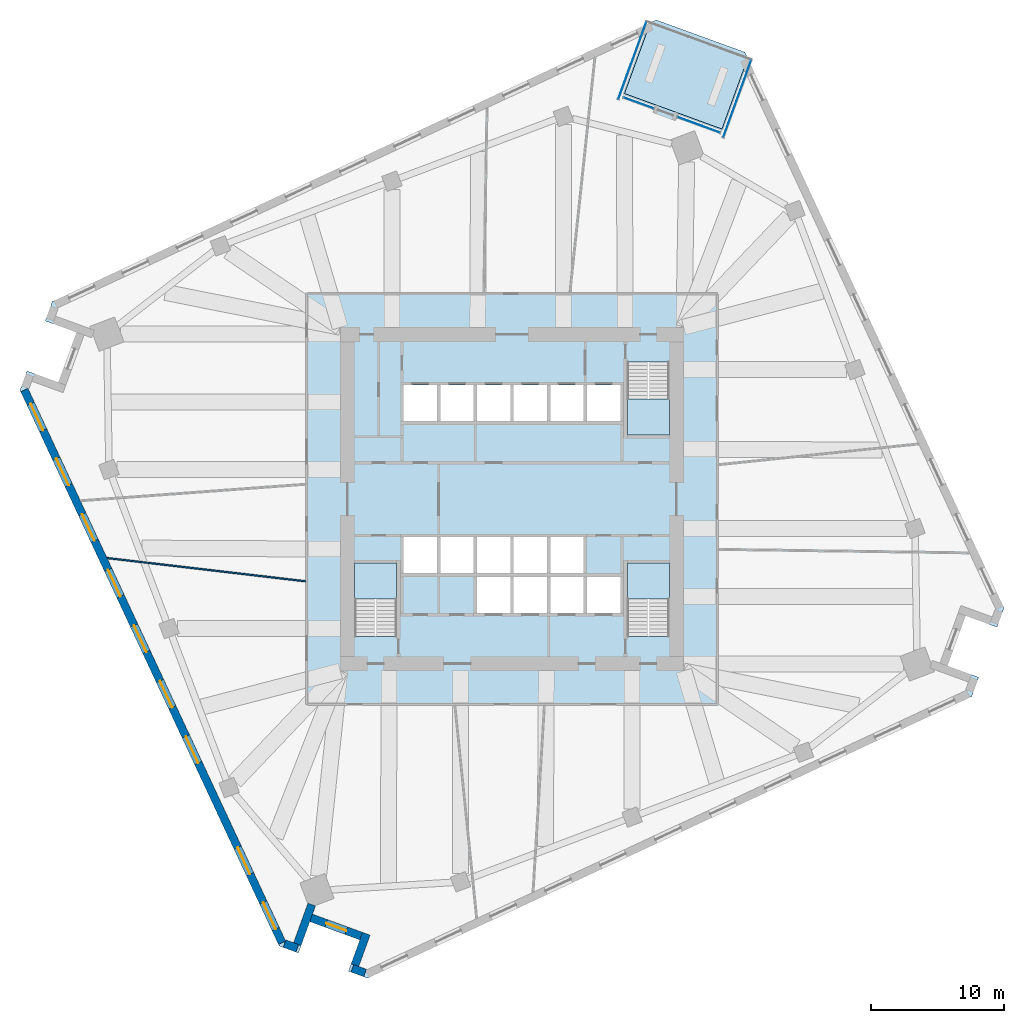
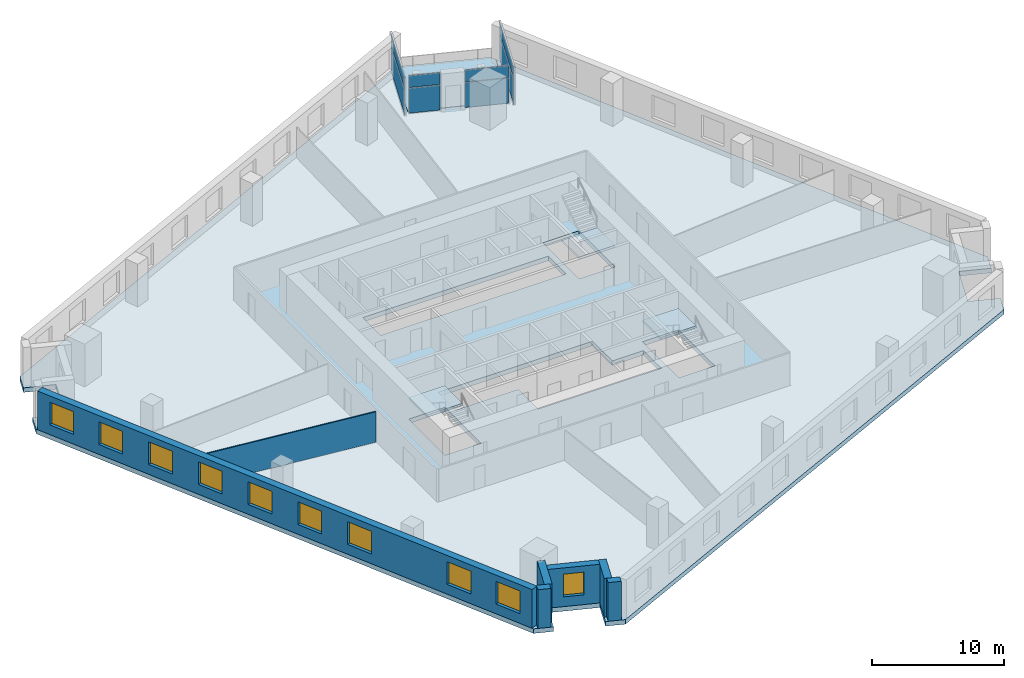
# One storey, part 5 of 12: 10 windows, 8 plates, 7 walls, 5 slabs, 10 openings, 7 elements without a shape of their own.
"""IFC4 building model written with IfcOpenShell, lengths in metres."""

from ifc_helpers import new_model, si_unit, direction, frame, frame_2d, origin, origin_2d, place, context, subcontext, project, spatial, polyline, rectangle, outline, extrude, material, layer, layer_set, type_object, element, fill, aggregate, save


model = new_model("IFC4")

# Units and contexts
model_context = context("Model", 3, precision=1e-05, world=origin(), true_north=direction((0.0, 1.0)))
body_context = subcontext(model_context, "Body", "Model", "MODEL_VIEW")
ifc_project = project(units=[si_unit("LENGTHUNIT", "METRE"), si_unit("AREAUNIT", "SQUARE_METRE"), si_unit("VOLUMEUNIT", "CUBIC_METRE"), si_unit("PLANEANGLEUNIT", "RADIAN"), si_unit("MASSUNIT", "GRAM", prefix="KILO")], contexts=[model_context])

# Site, building, storey
site_placement = place(None, origin())
site = spatial("IfcSite", under=ifc_project, at=site_placement, CompositionType="ELEMENT")
building_placement = place(site_placement, origin())
building = spatial("IfcBuilding", under=site, at=building_placement, Name="Dilmun Exchange Tower", CompositionType="ELEMENT")
storey_placement = place(building_placement, frame((0.0, 0.0, 122.10009765625)))
storey = spatial("IfcBuildingStorey", under=building, at=storey_placement, Name="L28", CompositionType="ELEMENT", Elevation=122.10009765625)

# Stair, slab
ifc_material_1 = material(Name="Concrete C40/50", Category="concrete")
stair_type = type_object("IfcStairType", Name="Exit stair 1500 half-turn", PredefinedType="HALF_TURN_STAIR", material=ifc_material_1)
stair_1_placement = place(storey_placement, origin())
stair_1 = element("IfcStair", 1, at=stair_1_placement, inside=storey, type_object=stair_type, Name="L28 Protected exit stair ST1", PredefinedType="HALF_TURN_STAIR")
ifc_layer_1 = layer(ifc_material_1, 0.199951171875)
ifc_layer_set_1 = layer_set([ifc_layer_1], Name="Concrete C40/50")
slab_type_1 = type_object("IfcSlabType", Name="Exit stair landing 200", PredefinedType="LANDING", material=ifc_layer_set_1)
slab_1_placement = place(storey_placement, frame((0.0, 0.0, 1.7998046875)))
slab_1 = element("IfcSlab", 2, at=slab_1_placement, type_object=slab_type_1, Name="ST1 landing 1", PredefinedType="LANDING", context=body_context, shape_type="SweptSolid", body=[
    extrude(outline(polyline([(8.64990234375, 7.5), (8.64990234375, 4.800048828125), (11.800048828125, 4.800048828125), (11.800048828125, 7.5), (8.64990234375, 7.5)])), origin(), (0.0, 0.0, 1.0), 0.2001953125),
])
aggregate(stair_1, [slab_1])

stair_2_placement = place(storey_placement, origin())
stair_2 = element("IfcStair", 3, at=stair_2_placement, inside=storey, type_object=stair_type, Name="L28 Protected exit stair ST2", PredefinedType="HALF_TURN_STAIR")
slab_2_placement = place(storey_placement, frame((0.0, 0.0, 1.7998046875)))
slab_2 = element("IfcSlab", 4, at=slab_2_placement, type_object=slab_type_1, Name="ST2 landing 1", PredefinedType="LANDING", context=body_context, shape_type="SweptSolid", body=[
    extrude(outline(polyline([(-8.64990234375, -7.5), (-8.64990234375, -4.800048828125), (-11.800048828125, -4.800048828125), (-11.800048828125, -7.5), (-8.64990234375, -7.5)])), origin(), (0.0, 0.0, 1.0), 0.2001953125),
])
aggregate(stair_2, [slab_2])

stair_3_placement = place(storey_placement, origin())
stair_3 = element("IfcStair", 5, at=stair_3_placement, inside=storey, type_object=stair_type, Name="L28 Protected exit stair ST3", PredefinedType="HALF_TURN_STAIR")
slab_3_placement = place(storey_placement, frame((0.0, 0.0, 1.7998046875)))
slab_3 = element("IfcSlab", 6, at=slab_3_placement, type_object=slab_type_1, Name="ST3 landing 1", PredefinedType="LANDING", context=body_context, shape_type="SweptSolid", body=[
    extrude(outline(polyline([(11.800048828125, -7.5), (11.800048828125, -4.800048828125), (8.64990234375, -4.800048828125), (8.64990234375, -7.5), (11.800048828125, -7.5)])), origin(), (0.0, 0.0, 1.0), 0.2001953125),
])
aggregate(stair_3, [slab_3])

# Curtain wall, plates
ifc_material_2 = material(Name="Anodised aluminium and clear glass", Category="aluminium")
curtain_wall_type = type_object("IfcCurtainWallType", Name="Garden corner glazing", PredefinedType="NOTDEFINED", material=ifc_material_2)
curtain_wall_1_placement = place(storey_placement, origin())
curtain_wall_1 = element("IfcCurtainWall", 7, at=curtain_wall_1_placement, inside=storey, type_object=curtain_wall_type, Name="Garden corner glazing run GC1.1", PredefinedType="NOTDEFINED")
ifc_material_3 = material(Name="Clear glass", Category="glass")
ifc_layer_2 = layer(ifc_material_3, 0.028076171875)
ifc_layer_set_2 = layer_set([ifc_layer_2], Name="Clear glass")
plate_type = type_object("IfcPlateType", Name="Garden corner glazing glass panel 28", PredefinedType="CURTAIN_PANEL", material=ifc_layer_set_2)
plate_1_placement = place(storey_placement, frame((16.89404296875, 30.032958984375, 0.059814453125), z_axis=(0.0, 0.0, 1.0), x_axis=(-0.342015551708, -0.939694291986, 0.0)))
plate_1 = element("IfcPlate", 8, at=plate_1_placement, type_object=plate_type, Name="GC1.1 panel 1.1", PredefinedType="CURTAIN_PANEL", context=body_context, shape_type="SweptSolid", body=[
    extrude(rectangle(XDim=6.12646484375, YDim=0.028076171875, at=origin_2d()), origin(), (0.0, 0.0, 1.0), 2.31005859375),
])
plate_2_placement = place(storey_placement, frame((16.89404296875, 30.032958984375, 2.4296875), z_axis=(0.0, 0.0, 1.0), x_axis=(-0.342015551708, -0.939694291986, 0.0)))
plate_2 = element("IfcPlate", 9, at=plate_2_placement, type_object=plate_type, Name="GC1.1 panel 1.2", PredefinedType="CURTAIN_PANEL", context=body_context, shape_type="SweptSolid", body=[
    extrude(rectangle(XDim=6.12646484375, YDim=0.028076171875, at=origin_2d()), origin(), (0.0, 0.0, 1.0), 1.090087890625),
])
aggregate(curtain_wall_1, [plate_1, plate_2])

curtain_wall_2_placement = place(storey_placement, origin())
curtain_wall_2 = element("IfcCurtainWall", 10, at=curtain_wall_2_placement, inside=storey, type_object=curtain_wall_type, Name="Garden corner glazing run GC2.1", PredefinedType="NOTDEFINED")
plate_3_placement = place(storey_placement, frame((14.007080078125, 28.079345703125, 0.059814453125), z_axis=(0.0, 0.0, 1.0), x_axis=(-0.939687942025, 0.342032997842, 0.0)))
plate_3 = element("IfcPlate", 11, at=plate_3_placement, type_object=plate_type, Name="GC2.1 panel 1.1", PredefinedType="CURTAIN_PANEL", context=body_context, shape_type="SweptSolid", body=[
    extrude(rectangle(XDim=3.369140625, YDim=0.028076171875, at=origin_2d()), origin(), (0.0, 0.0, 1.0), 2.31005859375),
])
plate_4_placement = place(storey_placement, frame((14.007080078125, 28.079345703125, 2.4296875), z_axis=(0.0, 0.0, 1.0), x_axis=(-0.939687942025, 0.342032997842, 0.0)))
plate_4 = element("IfcPlate", 12, at=plate_4_placement, type_object=plate_type, Name="GC2.1 panel 1.2", PredefinedType="CURTAIN_PANEL", context=body_context, shape_type="SweptSolid", body=[
    extrude(rectangle(XDim=3.369140625, YDim=0.028076171875, at=origin_2d()), origin(), (0.0, 0.0, 1.0), 1.090087890625),
])
aggregate(curtain_wall_2, [plate_3, plate_4])

curtain_wall_3_placement = place(storey_placement, origin())
curtain_wall_3 = element("IfcCurtainWall", 13, at=curtain_wall_3_placement, inside=storey, type_object=curtain_wall_type, Name="Garden corner glazing run GC2.3", PredefinedType="NOTDEFINED")
plate_5_placement = place(storey_placement, frame((9.5068359375, 29.71728515625, 0.059814453125), z_axis=(0.0, 0.0, 1.0), x_axis=(-0.939696026669, 0.342010785593, 0.0)))
plate_5 = element("IfcPlate", 14, at=plate_5_placement, type_object=plate_type, Name="GC2.3 panel 1.1", PredefinedType="CURTAIN_PANEL", context=body_context, shape_type="SweptSolid", body=[
    extrude(rectangle(XDim=2.369140625, YDim=0.028076171875, at=origin_2d()), origin(), (0.0, 0.0, 1.0), 2.31005859375),
])
plate_6_placement = place(storey_placement, frame((9.5068359375, 29.71728515625, 2.4296875), z_axis=(0.0, 0.0, 1.0), x_axis=(-0.939696026669, 0.342010785593, 0.0)))
plate_6 = element("IfcPlate", 15, at=plate_6_placement, type_object=plate_type, Name="GC2.3 panel 1.2", PredefinedType="CURTAIN_PANEL", context=body_context, shape_type="SweptSolid", body=[
    extrude(rectangle(XDim=2.369140625, YDim=0.028076171875, at=origin_2d()), origin(), (0.0, 0.0, 1.0), 1.090087890625),
])
aggregate(curtain_wall_3, [plate_5, plate_6])

curtain_wall_4_placement = place(storey_placement, origin())
curtain_wall_4 = element("IfcCurtainWall", 16, at=curtain_wall_4_placement, inside=storey, type_object=curtain_wall_type, Name="Garden corner glazing run GC3.1", PredefinedType="NOTDEFINED")
plate_7_placement = place(storey_placement, frame((9.02099609375, 32.8984375, 0.059814453125), z_axis=(0.0, 0.0, 1.0), x_axis=(0.342015551708, 0.939694291986, 0.0)))
plate_7 = element("IfcPlate", 17, at=plate_7_placement, type_object=plate_type, Name="GC3.1 panel 1.1", PredefinedType="CURTAIN_PANEL", context=body_context, shape_type="SweptSolid", body=[
    extrude(rectangle(XDim=6.12646484375, YDim=0.028076171875, at=origin_2d()), origin(), (0.0, 0.0, 1.0), 2.31005859375),
])
plate_8_placement = place(storey_placement, frame((9.02099609375, 32.8984375, 2.4296875), z_axis=(0.0, 0.0, 1.0), x_axis=(0.342015551708, 0.939694291986, 0.0)))
plate_8 = element("IfcPlate", 18, at=plate_8_placement, type_object=plate_type, Name="GC3.1 panel 1.2", PredefinedType="CURTAIN_PANEL", context=body_context, shape_type="SweptSolid", body=[
    extrude(rectangle(XDim=6.12646484375, YDim=0.028076171875, at=origin_2d()), origin(), (0.0, 0.0, 1.0), 1.090087890625),
])
aggregate(curtain_wall_4, [plate_7, plate_8])

# Slabs
ifc_layer_3 = layer(ifc_material_1, 0.419921875)
ifc_layer_set_3 = layer_set([ifc_layer_3], Name="Concrete C40/50")
slab_type_2 = type_object("IfcSlabType", Name="RC floor slab 420", PredefinedType="FLOOR", material=ifc_layer_set_3)
slab_4_placement = place(storey_placement, frame((0.0, 0.0, -0.420166015625)))
element("IfcSlab", 19, at=slab_4_placement, inside=storey, type_object=slab_type_2, Name="Floor slab", PredefinedType="FLOOR", context=body_context, shape_type="SweptSolid", body=[
    extrude(outline(polyline([(36.38427734375, -9.609619140625), (34.034912109375, -8.75439453125), (32.6669921875, -12.51318359375), (35.01611328125, -13.3681640625), (34.490966796875, -14.811279296875), (-10.824462890625, -35.942138671875), (-12.267333984375, -35.4169921875), (-11.412353515625, -33.067626953125), (-15.1708984375, -31.69970703125), (-16.026123046875, -34.048828125), (-17.468994140625, -33.523681640625), (-36.909423828125, 8.16650390625), (-36.38427734375, 9.609619140625), (-34.034912109375, 8.75439453125), (-32.6669921875, 12.51318359375), (-35.01611328125, 13.3681640625), (-34.490966796875, 14.811279296875), (10.37109375, 35.730712890625), (8.43994140625, 30.4248046875), (15.7490234375, 27.764404296875), (17.680419921875, 33.070556640625), (36.909423828125, -8.16650390625), (36.38427734375, -9.609619140625)]), holes=[polyline([(-8.64990234375, -4.800048828125), (-11.800048828125, -4.800048828125), (-11.800048828125, -10.294921875), (-8.64990234375, -10.294921875), (-8.64990234375, -4.800048828125)]), polyline([(11.800048828125, -4.800048828125), (8.64990234375, -4.800048828125), (8.64990234375, -10.294921875), (11.800048828125, -10.294921875), (11.800048828125, -4.800048828125)]), polyline([(-8.125, -2.85009765625), (-8.125, -5.550048828125), (-2.625, -5.550048828125), (-2.625, -8.550048828125), (8.125, -8.550048828125), (8.125, -5.85009765625), (5.375, -5.85009765625), (5.375, -2.85009765625), (-8.125, -2.85009765625)]), polyline([(-8.125, 5.85009765625), (8.125, 5.85009765625), (8.125, 8.550048828125), (-8.125, 8.550048828125), (-8.125, 5.85009765625)]), polyline([(8.64990234375, 10.294921875), (8.64990234375, 4.800048828125), (11.800048828125, 4.800048828125), (11.800048828125, 10.294921875), (8.64990234375, 10.294921875)])]), origin(), (0.0, 0.0, 1.0), 0.420166015625),
])
ifc_layer_4 = layer(ifc_material_1, 0.300048828125)
ifc_layer_set_4 = layer_set([ifc_layer_4], Name="Concrete C40/50")
slab_type_3 = type_object("IfcSlabType", Name="RC garden terrace slab 300", PredefinedType="FLOOR", material=ifc_layer_set_4)
slab_5_placement = place(storey_placement, frame((0.0, 0.0, -0.300048828125)))
element("IfcSlab", 20, at=slab_5_placement, inside=storey, type_object=slab_type_3, Name="Garden terrace slab", PredefinedType="FLOOR", context=body_context, shape_type="SweptSolid", body=[
    extrude(outline(polyline([(8.43994140625, 30.4248046875), (10.37109375, 35.730712890625), (10.824462890625, 35.942138671875), (17.468994140625, 33.523681640625), (17.680419921875, 33.070556640625), (15.7490234375, 27.764404296875), (8.43994140625, 30.4248046875)])), origin(), (0.0, 0.0, 1.0), 0.300048828125),
])

# Wall
ifc_material_4 = material(Name="Partition 100")
ifc_layer_5 = layer(ifc_material_4, 0.10009765625)
ifc_layer_set_5 = layer_set([ifc_layer_5], Name="Partition 100")
wall_type_1 = type_object("IfcWallType", Name="Partition 100", PredefinedType="PARTITIONING", material=ifc_layer_set_5)
wall_1_placement = place(storey_placement, frame((-30.375, -4.42236328125, 0.0), z_axis=(0.0, 0.0, 1.0), x_axis=(0.993213359121, -0.116306591663, 0.0)))
element("IfcWall", 21, at=wall_1_placement, inside=storey, type_object=wall_type_1, Name="Partition", PredefinedType="PARTITIONING", context=body_context, shape_type="SweptSolid", body=[
    extrude(rectangle(XDim=14.99609375, YDim=0.10009765625, at=frame_2d((7.498046875, 0.0))), origin(), (0.0, 0.0, 1.0), 2.829833984375),
])

# Wall, openings, windows
ifc_material_5 = material(Name="Precast concrete C50/60", Category="concrete")
ifc_layer_6 = layer(ifc_material_5, 0.60009765625)
ifc_layer_set_6 = layer_set([ifc_layer_6], Name="Precast concrete C50/60")
wall_type_2 = type_object("IfcWallType", Name="Precast stone-clad wall 600", PredefinedType="STANDARD", material=ifc_layer_set_6)
wall_2_placement = place(storey_placement, frame((-36.5849609375, 8.1806640625, 0.0), z_axis=(0.0, 0.0, 1.0), x_axis=(0.422619608855, -0.906307158866, 0.0)))
wall_2 = element("IfcWall", 22, at=wall_2_placement, inside=storey, type_object=wall_type_2, Name="Facade wall L28-09", PredefinedType="STANDARD", context=body_context, shape_type="SweptSolid", body=[
    extrude(rectangle(XDim=45.75146484375, YDim=0.60009765625, at=frame_2d((22.875732421875, 0.0))), origin(), (0.0, 0.0, 1.0), 3.579833984375),
])
opening_1_placement = place(wall_2_placement, frame((1.137939453125, 0.0, 0.89990234375)))
opening_1 = element("IfcOpeningElement", 23, at=opening_1_placement, cuts=wall_2, Name="Opening W220-210", PredefinedType="OPENING", context=body_context, shape_type="SweptSolid", body=[
    extrude(rectangle(XDim=2.199951171875, YDim=2.10009765625, at=frame_2d((1.10009765625, 1.050048828125))), frame((0.0, 0.31005859375, 0.0), z_axis=(0.0, -1.0, 0.0), x_axis=(1.0, 0.0, 0.0)), (0.0, 0.0, 1.0), 0.6201171875),
])
opening_2_placement = place(wall_2_placement, frame((5.67578125, 0.0, 0.89990234375)))
opening_2 = element("IfcOpeningElement", 24, at=opening_2_placement, cuts=wall_2, Name="Opening W220-210", PredefinedType="OPENING", context=body_context, shape_type="SweptSolid", body=[
    extrude(rectangle(XDim=2.199951171875, YDim=2.10009765625, at=frame_2d((1.10009765625, 1.050048828125))), frame((0.0, 0.31005859375, 0.0), z_axis=(0.0, -1.0, 0.0), x_axis=(1.0, 0.0, 0.0)), (0.0, 0.0, 1.0), 0.6201171875),
])
opening_3_placement = place(wall_2_placement, frame((10.275634765625, 0.0, 0.89990234375)))
opening_3 = element("IfcOpeningElement", 25, at=opening_3_placement, cuts=wall_2, Name="Opening W220-210", PredefinedType="OPENING", context=body_context, shape_type="SweptSolid", body=[
    extrude(rectangle(XDim=2.199951171875, YDim=2.10009765625, at=frame_2d((1.10009765625, 1.050048828125))), frame((0.0, 0.31005859375, 0.0), z_axis=(0.0, -1.0, 0.0), x_axis=(1.0, 0.0, 0.0)), (0.0, 0.0, 1.0), 0.6201171875),
])
opening_4_placement = place(wall_2_placement, frame((14.875732421875, 0.0, 0.89990234375)))
opening_4 = element("IfcOpeningElement", 26, at=opening_4_placement, cuts=wall_2, Name="Opening W220-210", PredefinedType="OPENING", context=body_context, shape_type="SweptSolid", body=[
    extrude(rectangle(XDim=2.199951171875, YDim=2.10009765625, at=frame_2d((1.10009765625, 1.050048828125))), frame((0.0, 0.31005859375, 0.0), z_axis=(0.0, -1.0, 0.0), x_axis=(1.0, 0.0, 0.0)), (0.0, 0.0, 1.0), 0.6201171875),
])
opening_5_placement = place(wall_2_placement, frame((19.4755859375, 0.0, 0.89990234375)))
opening_5 = element("IfcOpeningElement", 27, at=opening_5_placement, cuts=wall_2, Name="Opening W220-210", PredefinedType="OPENING", context=body_context, shape_type="SweptSolid", body=[
    extrude(rectangle(XDim=2.199951171875, YDim=2.10009765625, at=frame_2d((1.10009765625, 1.050048828125))), frame((0.0, 0.31005859375, 0.0), z_axis=(0.0, -1.0, 0.0), x_axis=(1.0, 0.0, 0.0)), (0.0, 0.0, 1.0), 0.6201171875),
])
opening_6_placement = place(wall_2_placement, frame((24.07568359375, 0.0, 0.89990234375)))
opening_6 = element("IfcOpeningElement", 28, at=opening_6_placement, cuts=wall_2, Name="Opening W220-210", PredefinedType="OPENING", context=body_context, shape_type="SweptSolid", body=[
    extrude(rectangle(XDim=2.199951171875, YDim=2.10009765625, at=frame_2d((1.10009765625, 1.050048828125))), frame((0.0, 0.31005859375, 0.0), z_axis=(0.0, -1.0, 0.0), x_axis=(1.0, 0.0, 0.0)), (0.0, 0.0, 1.0), 0.6201171875),
])
opening_7_placement = place(wall_2_placement, frame((28.67578125, 0.0, 0.89990234375)))
opening_7 = element("IfcOpeningElement", 29, at=opening_7_placement, cuts=wall_2, Name="Opening W220-210", PredefinedType="OPENING", context=body_context, shape_type="SweptSolid", body=[
    extrude(rectangle(XDim=2.199951171875, YDim=2.10009765625, at=frame_2d((1.10009765625, 1.050048828125))), frame((0.0, 0.31005859375, 0.0), z_axis=(0.0, -1.0, 0.0), x_axis=(1.0, 0.0, 0.0)), (0.0, 0.0, 1.0), 0.6201171875),
])
opening_8_placement = place(wall_2_placement, frame((37.875732421875, 0.0, 0.89990234375)))
opening_8 = element("IfcOpeningElement", 30, at=opening_8_placement, cuts=wall_2, Name="Opening W220-210", PredefinedType="OPENING", context=body_context, shape_type="SweptSolid", body=[
    extrude(rectangle(XDim=2.199951171875, YDim=2.10009765625, at=frame_2d((1.10009765625, 1.050048828125))), frame((0.0, 0.31005859375, 0.0), z_axis=(0.0, -1.0, 0.0), x_axis=(1.0, 0.0, 0.0)), (0.0, 0.0, 1.0), 0.6201171875),
])
opening_9_placement = place(wall_2_placement, frame((42.41357421875, 0.0, 0.89990234375)))
opening_9 = element("IfcOpeningElement", 31, at=opening_9_placement, cuts=wall_2, Name="Opening W220-210", PredefinedType="OPENING", context=body_context, shape_type="SweptSolid", body=[
    extrude(rectangle(XDim=2.199951171875, YDim=2.10009765625, at=frame_2d((1.10009765625, 1.050048828125))), frame((0.0, 0.31005859375, 0.0), z_axis=(0.0, -1.0, 0.0), x_axis=(1.0, 0.0, 0.0)), (0.0, 0.0, 1.0), 0.6201171875),
])
ifc_material_6 = material(Name="Clear low-emissivity glass in aluminium frame", Category="aluminium")
window_type_1 = type_object("IfcWindowType", Name="Punched window 2200 x 2100", PartitioningType="DOUBLE_PANEL_VERTICAL", PredefinedType="WINDOW", material=ifc_material_6)
window_1_placement = place(opening_1_placement, origin())
window_1 = element("IfcWindow", 32, at=window_1_placement, inside=storey, type_object=window_type_1, Name="Window 10.1", OverallHeight=2.10009765625, OverallWidth=2.199951171875, PartitioningType="SINGLE_PANEL", PredefinedType="WINDOW", context=body_context, shape_type="SweptSolid", body=[
    extrude(rectangle(XDim=2.199951171875, YDim=2.10009765625, at=frame_2d((1.10009765625, 1.050048828125))), frame((0.0, 0.030029296875, 0.0), z_axis=(0.0, -1.0, 0.0), x_axis=(1.0, 0.0, 0.0)), (0.0, 0.0, 1.0), 0.06005859375),
])
fill(opening_1, window_1)
window_2_placement = place(opening_2_placement, origin())
window_2 = element("IfcWindow", 33, at=window_2_placement, inside=storey, type_object=window_type_1, Name="Window 10.2", OverallHeight=2.10009765625, OverallWidth=2.199951171875, PartitioningType="SINGLE_PANEL", PredefinedType="WINDOW", context=body_context, shape_type="SweptSolid", body=[
    extrude(rectangle(XDim=2.199951171875, YDim=2.10009765625, at=frame_2d((1.10009765625, 1.050048828125))), frame((0.0, 0.030029296875, 0.0), z_axis=(0.0, -1.0, 0.0), x_axis=(1.0, 0.0, 0.0)), (0.0, 0.0, 1.0), 0.06005859375),
])
fill(opening_2, window_2)
window_3_placement = place(opening_3_placement, origin())
window_3 = element("IfcWindow", 34, at=window_3_placement, inside=storey, type_object=window_type_1, Name="Window 10.3", OverallHeight=2.10009765625, OverallWidth=2.199951171875, PartitioningType="SINGLE_PANEL", PredefinedType="WINDOW", context=body_context, shape_type="SweptSolid", body=[
    extrude(rectangle(XDim=2.199951171875, YDim=2.10009765625, at=frame_2d((1.10009765625, 1.050048828125))), frame((0.0, 0.030029296875, 0.0), z_axis=(0.0, -1.0, 0.0), x_axis=(1.0, 0.0, 0.0)), (0.0, 0.0, 1.0), 0.06005859375),
])
fill(opening_3, window_3)
window_4_placement = place(opening_4_placement, origin())
window_4 = element("IfcWindow", 35, at=window_4_placement, inside=storey, type_object=window_type_1, Name="Window 10.4", OverallHeight=2.10009765625, OverallWidth=2.199951171875, PartitioningType="SINGLE_PANEL", PredefinedType="WINDOW", context=body_context, shape_type="SweptSolid", body=[
    extrude(rectangle(XDim=2.199951171875, YDim=2.10009765625, at=frame_2d((1.10009765625, 1.050048828125))), frame((0.0, 0.030029296875, 0.0), z_axis=(0.0, -1.0, 0.0), x_axis=(1.0, 0.0, 0.0)), (0.0, 0.0, 1.0), 0.06005859375),
])
fill(opening_4, window_4)
window_5_placement = place(opening_5_placement, origin())
window_5 = element("IfcWindow", 36, at=window_5_placement, inside=storey, type_object=window_type_1, Name="Window 10.5", OverallHeight=2.10009765625, OverallWidth=2.199951171875, PartitioningType="SINGLE_PANEL", PredefinedType="WINDOW", context=body_context, shape_type="SweptSolid", body=[
    extrude(rectangle(XDim=2.199951171875, YDim=2.10009765625, at=frame_2d((1.10009765625, 1.050048828125))), frame((0.0, 0.030029296875, 0.0), z_axis=(0.0, -1.0, 0.0), x_axis=(1.0, 0.0, 0.0)), (0.0, 0.0, 1.0), 0.06005859375),
])
fill(opening_5, window_5)
window_6_placement = place(opening_6_placement, origin())
window_6 = element("IfcWindow", 37, at=window_6_placement, inside=storey, type_object=window_type_1, Name="Window 10.6", OverallHeight=2.10009765625, OverallWidth=2.199951171875, PartitioningType="SINGLE_PANEL", PredefinedType="WINDOW", context=body_context, shape_type="SweptSolid", body=[
    extrude(rectangle(XDim=2.199951171875, YDim=2.10009765625, at=frame_2d((1.10009765625, 1.050048828125))), frame((0.0, 0.030029296875, 0.0), z_axis=(0.0, -1.0, 0.0), x_axis=(1.0, 0.0, 0.0)), (0.0, 0.0, 1.0), 0.06005859375),
])
fill(opening_6, window_6)
window_7_placement = place(opening_7_placement, origin())
window_7 = element("IfcWindow", 38, at=window_7_placement, inside=storey, type_object=window_type_1, Name="Window 10.7", OverallHeight=2.10009765625, OverallWidth=2.199951171875, PartitioningType="SINGLE_PANEL", PredefinedType="WINDOW", context=body_context, shape_type="SweptSolid", body=[
    extrude(rectangle(XDim=2.199951171875, YDim=2.10009765625, at=frame_2d((1.10009765625, 1.050048828125))), frame((0.0, 0.030029296875, 0.0), z_axis=(0.0, -1.0, 0.0), x_axis=(1.0, 0.0, 0.0)), (0.0, 0.0, 1.0), 0.06005859375),
])
fill(opening_7, window_7)
window_8_placement = place(opening_8_placement, origin())
window_8 = element("IfcWindow", 39, at=window_8_placement, inside=storey, type_object=window_type_1, Name="Window 10.9", OverallHeight=2.10009765625, OverallWidth=2.199951171875, PartitioningType="SINGLE_PANEL", PredefinedType="WINDOW", context=body_context, shape_type="SweptSolid", body=[
    extrude(rectangle(XDim=2.199951171875, YDim=2.10009765625, at=frame_2d((1.10009765625, 1.050048828125))), frame((0.0, 0.030029296875, 0.0), z_axis=(0.0, -1.0, 0.0), x_axis=(1.0, 0.0, 0.0)), (0.0, 0.0, 1.0), 0.06005859375),
])
fill(opening_8, window_8)
window_9_placement = place(opening_9_placement, origin())
window_9 = element("IfcWindow", 40, at=window_9_placement, inside=storey, type_object=window_type_1, Name="Window 10.10", OverallHeight=2.10009765625, OverallWidth=2.199951171875, PartitioningType="SINGLE_PANEL", PredefinedType="WINDOW", context=body_context, shape_type="SweptSolid", body=[
    extrude(rectangle(XDim=2.199951171875, YDim=2.10009765625, at=frame_2d((1.10009765625, 1.050048828125))), frame((0.0, 0.030029296875, 0.0), z_axis=(0.0, -1.0, 0.0), x_axis=(1.0, 0.0, 0.0)), (0.0, 0.0, 1.0), 0.06005859375),
])
fill(opening_9, window_9)

# Walls
wall_3_placement = place(storey_placement, frame((-17.061767578125, -33.3525390625, 0.0), z_axis=(0.0, 0.0, 1.0), x_axis=(0.939687665182, -0.342033758429, 0.0)))
element("IfcWall", 41, at=wall_3_placement, inside=storey, type_object=wall_type_2, Name="Facade wall L28-10", PredefinedType="STANDARD", context=body_context, shape_type="SweptSolid", body=[
    extrude(rectangle(XDim=1.011474609375, YDim=0.60009765625, at=frame_2d((0.505859375, 0.0))), origin(), (0.0, 0.0, 1.0), 3.579833984375),
])
wall_4_placement = place(storey_placement, frame((-16.102783203125, -33.38232421875, 0.0), z_axis=(0.0, 0.0, 1.0), x_axis=(0.342003629731, 0.939698631079, 0.0)))
element("IfcWall", 42, at=wall_4_placement, inside=storey, type_object=wall_type_2, Name="Facade wall L28-11", PredefinedType="STANDARD", context=body_context, shape_type="SweptSolid", body=[
    extrude(rectangle(XDim=3.159423828125, YDim=0.60009765625, at=frame_2d((1.57958984375, 0.0))), origin(), (0.0, 0.0, 1.0), 3.579833984375),
])

# Wall, opening, window
wall_5_placement = place(storey_placement, frame((-15.068359375, -31.417724609375, 0.0), z_axis=(0.0, 0.0, 1.0), x_axis=(0.939679314823, -0.342056698946, 0.0)))
wall_5 = element("IfcWall", 43, at=wall_5_placement, inside=storey, type_object=wall_type_2, Name="Facade wall L28-12", PredefinedType="STANDARD", context=body_context, shape_type="SweptSolid", body=[
    extrude(rectangle(XDim=3.999755859375, YDim=0.60009765625, at=frame_2d((2.0, 0.0))), origin(), (0.0, 0.0, 1.0), 3.579833984375),
])
opening_10_placement = place(wall_5_placement, frame((1.199951171875, 0.0, 0.89990234375)))
opening_10 = element("IfcOpeningElement", 44, at=opening_10_placement, cuts=wall_5, Name="Opening W160-210", PredefinedType="OPENING", context=body_context, shape_type="SweptSolid", body=[
    extrude(rectangle(XDim=1.60009765625, YDim=2.10009765625, at=frame_2d((0.800048828125, 1.050048828125))), frame((0.0, 0.31005859375, 0.0), z_axis=(0.0, -1.0, 0.0), x_axis=(1.0, 0.0, 0.0)), (0.0, 0.0, 1.0), 0.6201171875),
])
window_type_2 = type_object("IfcWindowType", Name="Punched window 1600 x 2100", PartitioningType="DOUBLE_PANEL_VERTICAL", PredefinedType="WINDOW", material=ifc_material_6)
window_10_placement = place(opening_10_placement, origin())
window_10 = element("IfcWindow", 45, at=window_10_placement, inside=storey, type_object=window_type_2, Name="Window 13.1", OverallHeight=2.10009765625, OverallWidth=1.60009765625, PartitioningType="SINGLE_PANEL", PredefinedType="WINDOW", context=body_context, shape_type="SweptSolid", body=[
    extrude(rectangle(XDim=1.60009765625, YDim=2.10009765625, at=frame_2d((0.800048828125, 1.050048828125))), frame((0.0, 0.030029296875, 0.0), z_axis=(0.0, -1.0, 0.0), x_axis=(1.0, 0.0, 0.0)), (0.0, 0.0, 1.0), 0.06005859375),
])
fill(opening_10, window_10)

# Walls
wall_6_placement = place(storey_placement, frame((-10.925048828125, -32.6064453125, 0.0), z_axis=(0.0, 0.0, 1.0), x_axis=(-0.342064500802, -0.939676474799, 0.0)))
element("IfcWall", 46, at=wall_6_placement, inside=storey, type_object=wall_type_2, Name="Facade wall L28-13", PredefinedType="STANDARD", context=body_context, shape_type="SweptSolid", body=[
    extrude(rectangle(XDim=2.500244140625, YDim=0.60009765625, at=frame_2d((1.25, 0.0))), origin(), (0.0, 0.0, 1.0), 3.579833984375),
])
wall_7_placement = place(storey_placement, frame((-11.976806640625, -35.203369140625, 0.0), z_axis=(0.0, 0.0, 1.0), x_axis=(0.939659417368, -0.342111355193, 0.0)))
element("IfcWall", 47, at=wall_7_placement, inside=storey, type_object=wall_type_2, Name="Facade wall L28-14", PredefinedType="STANDARD", context=body_context, shape_type="SweptSolid", body=[
    extrude(rectangle(XDim=1.01123046875, YDim=0.60009765625, at=frame_2d((0.505615234375, 0.0))), origin(), (0.0, 0.0, 1.0), 3.579833984375),
])

save(model, "model.ifc")
